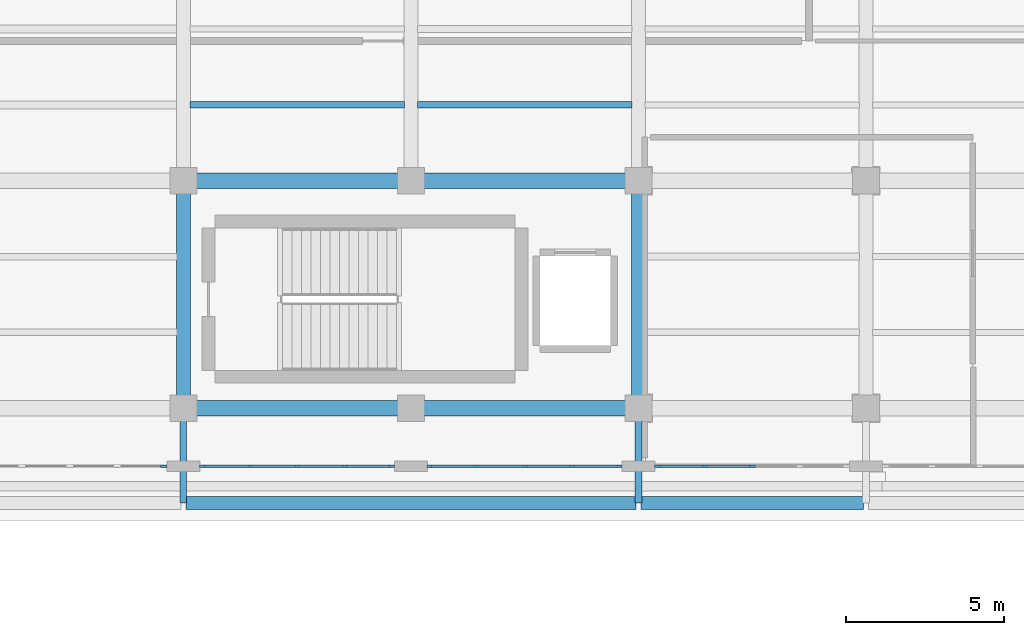
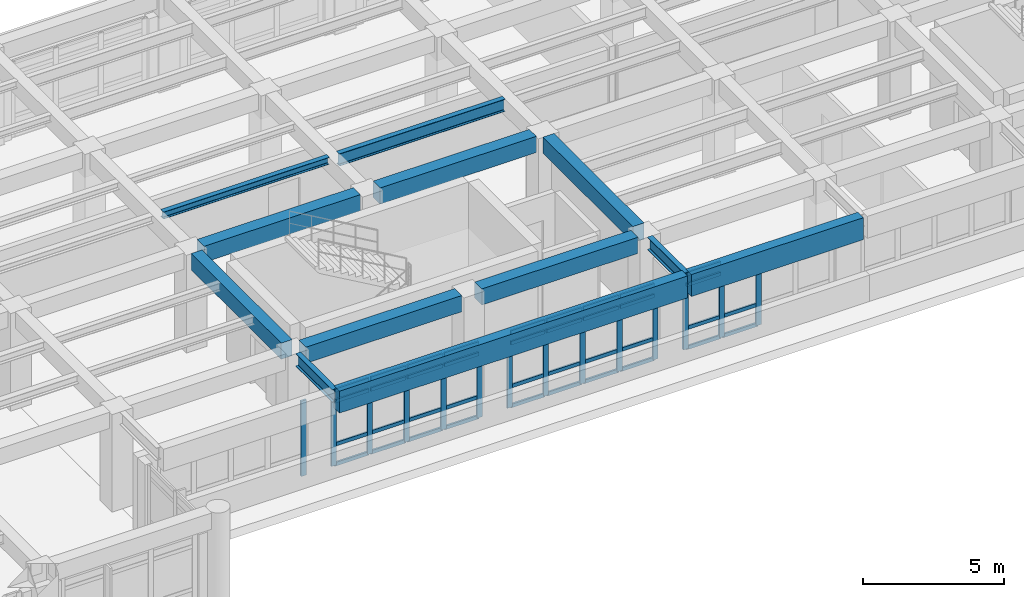
# One storey, part 39 of 98: 52 members, 12 beams, 4 elements without a shape of their own.
"""IFC4 building model written with IfcOpenShell, lengths in metres."""

from ifc_helpers import new_model, si_unit, direction, frame, origin, origin_2d, place, context, subcontext, project, spatial, rectangle, i_section, extrude, material, layer, layer_set, material_profile, profile_set, type_object, element, aggregate, save


model = new_model("IFC4")

# Units and contexts
model_context = context("Model", 3, precision=1e-05, world=origin(), true_north=direction((0.0, 1.0)))
body_context = subcontext(model_context, "Body", "Model", "MODEL_VIEW")
ifc_project = project(units=[si_unit("LENGTHUNIT", "METRE"), si_unit("AREAUNIT", "SQUARE_METRE"), si_unit("VOLUMEUNIT", "CUBIC_METRE"), si_unit("PLANEANGLEUNIT", "RADIAN"), si_unit("MASSUNIT", "GRAM", prefix="KILO")], contexts=[model_context])

# Site, building, storey
site_placement = place(None, origin())
site = spatial("IfcSite", under=ifc_project, at=site_placement, CompositionType="ELEMENT")
building_placement = place(site_placement, origin())
building = spatial("IfcBuilding", under=site, at=building_placement, Name="Solenvale Faculty of Natural Sciences", CompositionType="ELEMENT")
storey_placement = place(building_placement, frame((0.0, 0.0, 9.0)))
storey = spatial("IfcBuildingStorey", under=building, at=storey_placement, Name="L02", CompositionType="ELEMENT", Elevation=9.0)

# Beams
ifc_material_1 = material(Name="Concrete 40 MPa", Category="concrete")
ifc_material_profile_1 = material_profile(ifc_material_1, rectangle(XDim=0.449951171875, YDim=0.699951171875, at=origin_2d()), Name="RC-BM-450x700")
ifc_profile_set_1 = profile_set([ifc_material_profile_1], Name="Concrete 40 MPa")
beam_type_1 = type_object("IfcBeamType", Name="BM-RC-450x700", PredefinedType="BEAM", material=ifc_profile_set_1)
for number, where, z_axis, x_axis, name in (
    (1, (64.800048828125, 22.0048828125, 3.8701171875), (0.0, 1.0, 0.0), (-1.0, 0.0, 0.0), "L02 Y-Girder X64.8 (21.6..28.8)"),
    (2, (79.199951171875, 22.0048828125, 3.8701171875), (0.0, 1.0, 0.0), (-1.0, 0.0, 0.0), "L02 Y-Girder X79.2 (21.6..28.8)"),
):
    element("IfcBeam", number, at=place(storey_placement, frame(where, z_axis=z_axis, x_axis=x_axis)), inside=storey, type_object=beam_type_1, Name=name, PredefinedType="BEAM", context=body_context, shape_type="SweptSolid", body=[
        extrude(rectangle(XDim=0.449951171875, YDim=0.699951171875, at=origin_2d()), origin(), (0.0, 0.0, 1.0), 6.39013671875),
    ])
ifc_material_profile_2 = material_profile(ifc_material_1, rectangle(XDim=0.5, YDim=0.699951171875, at=origin_2d()), Name="RC-BM-500x700")
ifc_profile_set_2 = profile_set([ifc_material_profile_2], Name="Concrete 40 MPa")
beam_type_2 = type_object("IfcBeamType", Name="BM-RC-500x700", PredefinedType="BEAM", material=ifc_profile_set_2)
for number, where, z_axis, x_axis, name in (
    (3, (65.205078125, 21.60009765625, 3.8701171875), (1.0, 0.0, 0.0), (0.0, 1.0, 0.0), "L02 X-Girder Y21.6 (64.8..72.0)"),
    (4, (72.405029296875, 21.60009765625, 3.8701171875), (1.0, 0.0, 0.0), (0.0, 1.0, 0.0), "L02 X-Girder Y21.6 (72.0..79.2)"),
    (5, (65.205078125, 28.800048828125, 3.8701171875), (1.0, 0.0, 0.0), (0.0, 1.0, 0.0), "L02 X-Girder Y28.8 (64.8..72.0)"),
    (6, (72.405029296875, 28.800048828125, 3.8701171875), (1.0, 0.0, 0.0), (0.0, 1.0, 0.0), "L02 X-Girder Y28.8 (72.0..79.2)"),
):
    element("IfcBeam", number, at=place(storey_placement, frame(where, z_axis=z_axis, x_axis=x_axis)), inside=storey, type_object=beam_type_2, Name=name, PredefinedType="BEAM", context=body_context, shape_type="SweptSolid", body=[
        extrude(rectangle(XDim=0.5, YDim=0.699951171875, at=origin_2d()), origin(), (0.0, 0.0, 1.0), 6.389892578125),
    ])
ifc_material_2 = material(Name="Architectural bronze concrete 40 MPa", Category="concrete")
ifc_material_profile_3 = material_profile(ifc_material_2, rectangle(XDim=0.39990234375, YDim=0.949951171875, at=origin_2d()), Name="RC-SPN-400x950")
ifc_profile_set_3 = profile_set([ifc_material_profile_3], Name="Architectural bronze concrete 40 MPa")
beam_type_3 = type_object("IfcBeamType", Name="BM-SPN-BRZ-950", PredefinedType="SPANDREL", material=ifc_profile_set_3)
beam_1_placement = place(storey_placement, frame((64.8798828125, 18.60009765625, 3.7451171875), z_axis=(1.0, 0.0, 0.0), x_axis=(0.0, 1.0, 0.0)))
element("IfcBeam", 7, at=beam_1_placement, inside=storey, type_object=beam_type_3, Name="L03 Sliding-Tray South Bronze Fascia 2", PredefinedType="SPANDREL", context=body_context, shape_type="SweptSolid", body=[
    extrude(rectangle(XDim=0.39990234375, YDim=0.949951171875, at=origin_2d()), origin(), (0.0, 0.0, 1.0), 14.240234375),
])
beam_2_placement = place(storey_placement, frame((79.280029296875, 18.60009765625, 3.7451171875), z_axis=(1.0, 0.0, 0.0), x_axis=(0.0, 1.0, 0.0)))
element("IfcBeam", 8, at=beam_2_placement, inside=storey, type_object=beam_type_3, Name="L03 Sliding-Tray South Bronze Fascia 3", PredefinedType="SPANDREL", context=body_context, shape_type="SweptSolid", body=[
    extrude(rectangle(XDim=0.39990234375, YDim=0.949951171875, at=origin_2d()), origin(), (0.0, 0.0, 1.0), 7.0400390625),
])
ifc_material_3 = material(Name="Steel S355", Category="steel")
ifc_material_profile_4 = material_profile(ifc_material_3, i_section(OverallWidth=0.202880859375, OverallDepth=0.302978515625, WebThickness=0.007568359375, FlangeThickness=0.01318359375, FilletRadius=0.014892578125, at=origin_2d()), Name="W310x60")
ifc_profile_set_4 = profile_set([ifc_material_profile_4], Name="Steel S355")
beam_type_4 = type_object("IfcBeamType", Name="BM-STL-W310x60", PredefinedType="JOIST", material=ifc_profile_set_4)
beam_3_placement = place(storey_placement, frame((65.0048828125, 31.199951171875, 4.068603515625), z_axis=(1.0, 0.0, 0.0), x_axis=(0.0, 1.0, 0.0)))
element("IfcBeam", 9, at=beam_3_placement, inside=storey, type_object=beam_type_4, Name="L02 Composite Floor Joist (10,5).1", PredefinedType="JOIST", context=body_context, shape_type="SweptSolid", body=[
    extrude(i_section(OverallWidth=0.202880859375, OverallDepth=0.302978515625, WebThickness=0.007568359375, FlangeThickness=0.01318359375, FilletRadius=0.014892578125, at=origin_2d()), origin(), (0.0, 0.0, 1.0), 6.7900390625),
])
ifc_material_profile_5 = material_profile(ifc_material_3, i_section(OverallWidth=0.2119140625, OverallDepth=0.5439453125, WebThickness=0.01318359375, FlangeThickness=0.021240234375, FilletRadius=0.01904296875, at=origin_2d()), Name="W530x123")
ifc_profile_set_5 = profile_set([ifc_material_profile_5], Name="Steel S355")
beam_type_5 = type_object("IfcBeamType", Name="BM-STL-W530x123", PredefinedType="BEAM", material=ifc_profile_set_5)
for number, where, z_axis, x_axis, name in (
    (10, (64.800048828125, 21.195068359375, 3.947998046875), (0.0, -1.0, 0.0), (1.0, 0.0, 0.0), "L02 V4 Cantilever Tray Girder X64.8"),
    (11, (79.199951171875, 21.195068359375, 3.947998046875), (0.0, -1.0, 0.0), (1.0, 0.0, 0.0), "L02 V4 Cantilever Tray Girder X79.2"),
):
    element("IfcBeam", number, at=place(storey_placement, frame(where, z_axis=z_axis, x_axis=x_axis)), inside=storey, type_object=beam_type_5, Name=name, PredefinedType="BEAM", context=body_context, shape_type="SweptSolid", body=[
        extrude(i_section(OverallWidth=0.2119140625, OverallDepth=0.5439453125, WebThickness=0.01318359375, FlangeThickness=0.021240234375, FilletRadius=0.01904296875, at=origin_2d()), origin(), (0.0, 0.0, 1.0), 2.594970703125),
    ])
ifc_material_profile_6 = material_profile(ifc_material_3, i_section(OverallWidth=0.208984375, OverallDepth=0.532958984375, WebThickness=0.01025390625, FlangeThickness=0.015625, FilletRadius=0.01904296875, at=origin_2d()), Name="W530x92")
ifc_profile_set_6 = profile_set([ifc_material_profile_6], Name="Steel S355")
beam_type_6 = type_object("IfcBeamType", Name="BM-STL-W530x92", PredefinedType="JOIST", material=ifc_profile_set_6)
beam_4_placement = place(storey_placement, frame((72.205078125, 31.199951171875, 3.95361328125), z_axis=(1.0, 0.0, 0.0), x_axis=(0.0, 1.0, 0.0)))
element("IfcBeam", 12, at=beam_4_placement, inside=storey, type_object=beam_type_6, Name="L02 Composite Floor Joist (11,5).1", PredefinedType="JOIST", context=body_context, shape_type="SweptSolid", body=[
    extrude(i_section(OverallWidth=0.208984375, OverallDepth=0.532958984375, WebThickness=0.01025390625, FlangeThickness=0.015625, FilletRadius=0.01904296875, at=origin_2d()), origin(), (0.0, 0.0, 1.0), 6.7900390625),
])

# Curtain wall, member
ifc_material_4 = material(Name="Anodised bronze aluminium", Category="aluminium")
ifc_layer = layer(ifc_material_4, 0.18994140625)
ifc_layer_set = layer_set([ifc_layer], Name="Anodised bronze aluminium")
curtain_wall_type = type_object("IfcCurtainWallType", Name="CW-TRAY-REC", PredefinedType="USERDEFINED", material=ifc_layer_set)
curtain_wall_1_placement = place(storey_placement, origin())
curtain_wall_1 = element("IfcCurtainWall", 13, at=curtain_wall_1_placement, inside=storey, type_object=curtain_wall_type, Name="L02 Curtain Wall CW-L02-P1-E12-B1", ObjectType="UNITISED CURTAIN WALL", PredefinedType="USERDEFINED")
ifc_material_profile_7 = material_profile(ifc_material_4, rectangle(XDim=0.074951171875, YDim=0.2099609375, at=origin_2d()), Name="ALU-MUL-75x210")
ifc_profile_set_7 = profile_set([ifc_material_profile_7], Name="Anodised bronze aluminium")
member_type_1 = type_object("IfcMemberType", Name="CWM-ALU-75x210", PredefinedType="MULLION", material=ifc_profile_set_7)
member_1_placement = place(storey_placement, frame((64.1826171875, 19.762451171875, 0.0), z_axis=(0.0, 0.0, 1.0), x_axis=(0.0, 1.0, 0.0)))
member_1 = element("IfcMember", 14, at=member_1_placement, type_object=member_type_1, Name="CW-02 mullion 5", PredefinedType="MULLION", context=body_context, shape_type="SweptSolid", body=[
    extrude(rectangle(XDim=0.074951171875, YDim=0.2099609375, at=origin_2d()), origin(), (0.0, 0.0, 1.0), 3.260009765625),
])
aggregate(curtain_wall_1, [member_1])

# Curtain wall, members
curtain_wall_2_placement = place(storey_placement, origin())
curtain_wall_2 = element("IfcCurtainWall", 15, at=curtain_wall_2_placement, inside=storey, type_object=curtain_wall_type, Name="L02 Curtain Wall CW-L02-P1-E12-B2", ObjectType="UNITISED CURTAIN WALL", PredefinedType="USERDEFINED")
member_2_placement = place(storey_placement, frame((65.41748046875, 19.762451171875, 0.0), z_axis=(0.0, 0.0, 1.0), x_axis=(0.0, 1.0, 0.0)))
member_2 = element("IfcMember", 16, at=member_2_placement, type_object=member_type_1, Name="CW-02 mullion 1", PredefinedType="MULLION", context=body_context, shape_type="SweptSolid", body=[
    extrude(rectangle(XDim=0.074951171875, YDim=0.2099609375, at=origin_2d()), origin(), (0.0, 0.0, 1.0), 3.260009765625),
])
member_3_placement = place(storey_placement, frame((66.889892578125, 19.762451171875, 0.0), z_axis=(0.0, 0.0, 1.0), x_axis=(0.0, 1.0, 0.0)))
member_3 = element("IfcMember", 17, at=member_3_placement, type_object=member_type_1, Name="CW-02 mullion 2", PredefinedType="MULLION", context=body_context, shape_type="SweptSolid", body=[
    extrude(rectangle(XDim=0.074951171875, YDim=0.2099609375, at=origin_2d()), origin(), (0.0, 0.0, 1.0), 3.260009765625),
])
member_4_placement = place(storey_placement, frame((68.39990234375, 19.762451171875, 0.0), z_axis=(0.0, 0.0, 1.0), x_axis=(0.0, 1.0, 0.0)))
member_4 = element("IfcMember", 18, at=member_4_placement, type_object=member_type_1, Name="CW-02 mullion 3", PredefinedType="MULLION", context=body_context, shape_type="SweptSolid", body=[
    extrude(rectangle(XDim=0.074951171875, YDim=0.2099609375, at=origin_2d()), origin(), (0.0, 0.0, 1.0), 3.260009765625),
])
member_5_placement = place(storey_placement, frame((69.909912109375, 19.762451171875, 0.0), z_axis=(0.0, 0.0, 1.0), x_axis=(0.0, 1.0, 0.0)))
member_5 = element("IfcMember", 19, at=member_5_placement, type_object=member_type_1, Name="CW-02 mullion 4", PredefinedType="MULLION", context=body_context, shape_type="SweptSolid", body=[
    extrude(rectangle(XDim=0.074951171875, YDim=0.2099609375, at=origin_2d()), origin(), (0.0, 0.0, 1.0), 3.260009765625),
])
member_6_placement = place(storey_placement, frame((71.382568359375, 19.762451171875, 0.0), z_axis=(0.0, 0.0, 1.0), x_axis=(0.0, 1.0, 0.0)))
member_6 = element("IfcMember", 20, at=member_6_placement, type_object=member_type_1, Name="CW-02 mullion 5", PredefinedType="MULLION", context=body_context, shape_type="SweptSolid", body=[
    extrude(rectangle(XDim=0.074951171875, YDim=0.2099609375, at=origin_2d()), origin(), (0.0, 0.0, 1.0), 3.260009765625),
])

curtain_wall_3_placement = place(storey_placement, origin())
curtain_wall_3 = element("IfcCurtainWall", 21, at=curtain_wall_3_placement, inside=storey, type_object=curtain_wall_type, Name="L02 Curtain Wall CW-L02-P1-E12-B3", ObjectType="UNITISED CURTAIN WALL", PredefinedType="USERDEFINED")
member_7_placement = place(storey_placement, frame((72.617431640625, 19.762451171875, 0.0), z_axis=(0.0, 0.0, 1.0), x_axis=(0.0, 1.0, 0.0)))
member_7 = element("IfcMember", 22, at=member_7_placement, type_object=member_type_1, Name="CW-02 mullion 1", PredefinedType="MULLION", context=body_context, shape_type="SweptSolid", body=[
    extrude(rectangle(XDim=0.074951171875, YDim=0.2099609375, at=origin_2d()), origin(), (0.0, 0.0, 1.0), 3.260009765625),
])
member_8_placement = place(storey_placement, frame((74.090087890625, 19.762451171875, 0.0), z_axis=(0.0, 0.0, 1.0), x_axis=(0.0, 1.0, 0.0)))
member_8 = element("IfcMember", 23, at=member_8_placement, type_object=member_type_1, Name="CW-02 mullion 2", PredefinedType="MULLION", context=body_context, shape_type="SweptSolid", body=[
    extrude(rectangle(XDim=0.074951171875, YDim=0.2099609375, at=origin_2d()), origin(), (0.0, 0.0, 1.0), 3.260009765625),
])
member_9_placement = place(storey_placement, frame((75.60009765625, 19.762451171875, 0.0), z_axis=(0.0, 0.0, 1.0), x_axis=(0.0, 1.0, 0.0)))
member_9 = element("IfcMember", 24, at=member_9_placement, type_object=member_type_1, Name="CW-02 mullion 3", PredefinedType="MULLION", context=body_context, shape_type="SweptSolid", body=[
    extrude(rectangle(XDim=0.074951171875, YDim=0.2099609375, at=origin_2d()), origin(), (0.0, 0.0, 1.0), 3.260009765625),
])
member_10_placement = place(storey_placement, frame((77.110107421875, 19.762451171875, 0.0), z_axis=(0.0, 0.0, 1.0), x_axis=(0.0, 1.0, 0.0)))
member_10 = element("IfcMember", 25, at=member_10_placement, type_object=member_type_1, Name="CW-02 mullion 4", PredefinedType="MULLION", context=body_context, shape_type="SweptSolid", body=[
    extrude(rectangle(XDim=0.074951171875, YDim=0.2099609375, at=origin_2d()), origin(), (0.0, 0.0, 1.0), 3.260009765625),
])
member_11_placement = place(storey_placement, frame((78.58251953125, 19.762451171875, 0.0), z_axis=(0.0, 0.0, 1.0), x_axis=(0.0, 1.0, 0.0)))
member_11 = element("IfcMember", 26, at=member_11_placement, type_object=member_type_1, Name="CW-02 mullion 5", PredefinedType="MULLION", context=body_context, shape_type="SweptSolid", body=[
    extrude(rectangle(XDim=0.074951171875, YDim=0.2099609375, at=origin_2d()), origin(), (0.0, 0.0, 1.0), 3.260009765625),
])

curtain_wall_4_placement = place(storey_placement, origin())
curtain_wall_4 = element("IfcCurtainWall", 27, at=curtain_wall_4_placement, inside=storey, type_object=curtain_wall_type, Name="L02 Curtain Wall CW-L02-P1-E12-B4", ObjectType="UNITISED CURTAIN WALL", PredefinedType="USERDEFINED")
member_12_placement = place(storey_placement, frame((79.8173828125, 19.762451171875, 0.0), z_axis=(0.0, 0.0, 1.0), x_axis=(0.0, 1.0, 0.0)))
member_12 = element("IfcMember", 28, at=member_12_placement, type_object=member_type_1, Name="CW-02 mullion 1", PredefinedType="MULLION", context=body_context, shape_type="SweptSolid", body=[
    extrude(rectangle(XDim=0.074951171875, YDim=0.2099609375, at=origin_2d()), origin(), (0.0, 0.0, 1.0), 3.260009765625),
])
member_13_placement = place(storey_placement, frame((81.2900390625, 19.762451171875, 0.0), z_axis=(0.0, 0.0, 1.0), x_axis=(0.0, 1.0, 0.0)))
member_13 = element("IfcMember", 29, at=member_13_placement, type_object=member_type_1, Name="CW-02 mullion 2", PredefinedType="MULLION", context=body_context, shape_type="SweptSolid", body=[
    extrude(rectangle(XDim=0.074951171875, YDim=0.2099609375, at=origin_2d()), origin(), (0.0, 0.0, 1.0), 3.260009765625),
])
member_14_placement = place(storey_placement, frame((82.800048828125, 19.762451171875, 0.0), z_axis=(0.0, 0.0, 1.0), x_axis=(0.0, 1.0, 0.0)))
member_14 = element("IfcMember", 30, at=member_14_placement, type_object=member_type_1, Name="CW-02 mullion 3", PredefinedType="MULLION", context=body_context, shape_type="SweptSolid", body=[
    extrude(rectangle(XDim=0.074951171875, YDim=0.2099609375, at=origin_2d()), origin(), (0.0, 0.0, 1.0), 3.260009765625),
])

# Member
ifc_material_profile_8 = material_profile(ifc_material_4, rectangle(XDim=0.074951171875, YDim=0.155029296875, at=origin_2d()), Name="ALU-TRN-75x155")
ifc_profile_set_8 = profile_set([ifc_material_profile_8], Name="Anodised bronze aluminium")
member_type_2 = type_object("IfcMemberType", Name="CWT-ALU-75x155", PredefinedType="USERDEFINED", material=ifc_profile_set_8)
member_15_placement = place(storey_placement, frame((65.455078125, 19.762451171875, 0.03759765625), z_axis=(1.0, 0.0, 0.0), x_axis=(0.0, 1.0, 0.0)))
member_15 = element("IfcMember", 31, at=member_15_placement, type_object=member_type_2, Name="CW-02 transom 1.1", ObjectType="TRANSOM", PredefinedType="USERDEFINED", context=body_context, shape_type="SweptSolid", body=[
    extrude(rectangle(XDim=0.074951171875, YDim=0.155029296875, at=origin_2d()), origin(), (0.0, 0.0, 1.0), 1.3974609375),
])

member_16_placement = place(storey_placement, frame((65.455078125, 19.762451171875, 0.89990234375), z_axis=(1.0, 0.0, 0.0), x_axis=(0.0, 1.0, 0.0)))
member_16 = element("IfcMember", 32, at=member_16_placement, type_object=member_type_2, Name="CW-02 transom 1.2", ObjectType="TRANSOM", PredefinedType="USERDEFINED", context=body_context, shape_type="SweptSolid", body=[
    extrude(rectangle(XDim=0.074951171875, YDim=0.155029296875, at=origin_2d()), origin(), (0.0, 0.0, 1.0), 1.3974609375),
])

member_17_placement = place(storey_placement, frame((65.455078125, 19.762451171875, 2.760009765625), z_axis=(1.0, 0.0, 0.0), x_axis=(0.0, 1.0, 0.0)))
member_17 = element("IfcMember", 33, at=member_17_placement, type_object=member_type_2, Name="CW-02 transom 1.3", ObjectType="TRANSOM", PredefinedType="USERDEFINED", context=body_context, shape_type="SweptSolid", body=[
    extrude(rectangle(XDim=0.074951171875, YDim=0.155029296875, at=origin_2d()), origin(), (0.0, 0.0, 1.0), 1.3974609375),
])

member_18_placement = place(storey_placement, frame((65.455078125, 19.762451171875, 3.222412109375), z_axis=(1.0, 0.0, 0.0), x_axis=(0.0, 1.0, 0.0)))
member_18 = element("IfcMember", 34, at=member_18_placement, type_object=member_type_2, Name="CW-02 transom 1.4", ObjectType="TRANSOM", PredefinedType="USERDEFINED", context=body_context, shape_type="SweptSolid", body=[
    extrude(rectangle(XDim=0.074951171875, YDim=0.155029296875, at=origin_2d()), origin(), (0.0, 0.0, 1.0), 1.3974609375),
])

member_19_placement = place(storey_placement, frame((66.927490234375, 19.762451171875, 0.03759765625), z_axis=(1.0, 0.0, 0.0), x_axis=(0.0, 1.0, 0.0)))
member_19 = element("IfcMember", 35, at=member_19_placement, type_object=member_type_2, Name="CW-02 transom 2.1", ObjectType="TRANSOM", PredefinedType="USERDEFINED", context=body_context, shape_type="SweptSolid", body=[
    extrude(rectangle(XDim=0.074951171875, YDim=0.155029296875, at=origin_2d()), origin(), (0.0, 0.0, 1.0), 1.43505859375),
])

member_20_placement = place(storey_placement, frame((66.927490234375, 19.762451171875, 0.89990234375), z_axis=(1.0, 0.0, 0.0), x_axis=(0.0, 1.0, 0.0)))
member_20 = element("IfcMember", 36, at=member_20_placement, type_object=member_type_2, Name="CW-02 transom 2.2", ObjectType="TRANSOM", PredefinedType="USERDEFINED", context=body_context, shape_type="SweptSolid", body=[
    extrude(rectangle(XDim=0.074951171875, YDim=0.155029296875, at=origin_2d()), origin(), (0.0, 0.0, 1.0), 1.43505859375),
])

member_21_placement = place(storey_placement, frame((66.927490234375, 19.762451171875, 2.760009765625), z_axis=(1.0, 0.0, 0.0), x_axis=(0.0, 1.0, 0.0)))
member_21 = element("IfcMember", 37, at=member_21_placement, type_object=member_type_2, Name="CW-02 transom 2.3", ObjectType="TRANSOM", PredefinedType="USERDEFINED", context=body_context, shape_type="SweptSolid", body=[
    extrude(rectangle(XDim=0.074951171875, YDim=0.155029296875, at=origin_2d()), origin(), (0.0, 0.0, 1.0), 1.43505859375),
])

member_22_placement = place(storey_placement, frame((66.927490234375, 19.762451171875, 3.222412109375), z_axis=(1.0, 0.0, 0.0), x_axis=(0.0, 1.0, 0.0)))
member_22 = element("IfcMember", 38, at=member_22_placement, type_object=member_type_2, Name="CW-02 transom 2.4", ObjectType="TRANSOM", PredefinedType="USERDEFINED", context=body_context, shape_type="SweptSolid", body=[
    extrude(rectangle(XDim=0.074951171875, YDim=0.155029296875, at=origin_2d()), origin(), (0.0, 0.0, 1.0), 1.43505859375),
])

member_23_placement = place(storey_placement, frame((68.4375, 19.762451171875, 0.03759765625), z_axis=(1.0, 0.0, 0.0), x_axis=(0.0, 1.0, 0.0)))
member_23 = element("IfcMember", 39, at=member_23_placement, type_object=member_type_2, Name="CW-02 transom 3.1", ObjectType="TRANSOM", PredefinedType="USERDEFINED", context=body_context, shape_type="SweptSolid", body=[
    extrude(rectangle(XDim=0.074951171875, YDim=0.155029296875, at=origin_2d()), origin(), (0.0, 0.0, 1.0), 1.43505859375),
])

member_24_placement = place(storey_placement, frame((68.4375, 19.762451171875, 0.89990234375), z_axis=(1.0, 0.0, 0.0), x_axis=(0.0, 1.0, 0.0)))
member_24 = element("IfcMember", 40, at=member_24_placement, type_object=member_type_2, Name="CW-02 transom 3.2", ObjectType="TRANSOM", PredefinedType="USERDEFINED", context=body_context, shape_type="SweptSolid", body=[
    extrude(rectangle(XDim=0.074951171875, YDim=0.155029296875, at=origin_2d()), origin(), (0.0, 0.0, 1.0), 1.43505859375),
])

member_25_placement = place(storey_placement, frame((68.4375, 19.762451171875, 2.760009765625), z_axis=(1.0, 0.0, 0.0), x_axis=(0.0, 1.0, 0.0)))
member_25 = element("IfcMember", 41, at=member_25_placement, type_object=member_type_2, Name="CW-02 transom 3.3", ObjectType="TRANSOM", PredefinedType="USERDEFINED", context=body_context, shape_type="SweptSolid", body=[
    extrude(rectangle(XDim=0.074951171875, YDim=0.155029296875, at=origin_2d()), origin(), (0.0, 0.0, 1.0), 1.43505859375),
])

member_26_placement = place(storey_placement, frame((68.4375, 19.762451171875, 3.222412109375), z_axis=(1.0, 0.0, 0.0), x_axis=(0.0, 1.0, 0.0)))
member_26 = element("IfcMember", 42, at=member_26_placement, type_object=member_type_2, Name="CW-02 transom 3.4", ObjectType="TRANSOM", PredefinedType="USERDEFINED", context=body_context, shape_type="SweptSolid", body=[
    extrude(rectangle(XDim=0.074951171875, YDim=0.155029296875, at=origin_2d()), origin(), (0.0, 0.0, 1.0), 1.43505859375),
])

member_27_placement = place(storey_placement, frame((69.947509765625, 19.762451171875, 0.03759765625), z_axis=(1.0, 0.0, 0.0), x_axis=(0.0, 1.0, 0.0)))
member_27 = element("IfcMember", 43, at=member_27_placement, type_object=member_type_2, Name="CW-02 transom 4.1", ObjectType="TRANSOM", PredefinedType="USERDEFINED", context=body_context, shape_type="SweptSolid", body=[
    extrude(rectangle(XDim=0.074951171875, YDim=0.155029296875, at=origin_2d()), origin(), (0.0, 0.0, 1.0), 1.3974609375),
])

member_28_placement = place(storey_placement, frame((69.947509765625, 19.762451171875, 0.89990234375), z_axis=(1.0, 0.0, 0.0), x_axis=(0.0, 1.0, 0.0)))
member_28 = element("IfcMember", 44, at=member_28_placement, type_object=member_type_2, Name="CW-02 transom 4.2", ObjectType="TRANSOM", PredefinedType="USERDEFINED", context=body_context, shape_type="SweptSolid", body=[
    extrude(rectangle(XDim=0.074951171875, YDim=0.155029296875, at=origin_2d()), origin(), (0.0, 0.0, 1.0), 1.3974609375),
])

member_29_placement = place(storey_placement, frame((69.947509765625, 19.762451171875, 2.760009765625), z_axis=(1.0, 0.0, 0.0), x_axis=(0.0, 1.0, 0.0)))
member_29 = element("IfcMember", 45, at=member_29_placement, type_object=member_type_2, Name="CW-02 transom 4.3", ObjectType="TRANSOM", PredefinedType="USERDEFINED", context=body_context, shape_type="SweptSolid", body=[
    extrude(rectangle(XDim=0.074951171875, YDim=0.155029296875, at=origin_2d()), origin(), (0.0, 0.0, 1.0), 1.3974609375),
])

member_30_placement = place(storey_placement, frame((69.947509765625, 19.762451171875, 3.222412109375), z_axis=(1.0, 0.0, 0.0), x_axis=(0.0, 1.0, 0.0)))
member_30 = element("IfcMember", 46, at=member_30_placement, type_object=member_type_2, Name="CW-02 transom 4.4", ObjectType="TRANSOM", PredefinedType="USERDEFINED", context=body_context, shape_type="SweptSolid", body=[
    extrude(rectangle(XDim=0.074951171875, YDim=0.155029296875, at=origin_2d()), origin(), (0.0, 0.0, 1.0), 1.3974609375),
])

aggregate(curtain_wall_2, [member_2, member_3, member_4, member_5, member_6, member_15, member_16, member_17, member_18, member_19, member_20, member_21, member_22, member_23, member_24, member_25, member_26, member_27, member_28, member_29, member_30])

member_31_placement = place(storey_placement, frame((72.655029296875, 19.762451171875, 0.03759765625), z_axis=(1.0, 0.0, 0.0), x_axis=(0.0, 1.0, 0.0)))
member_31 = element("IfcMember", 47, at=member_31_placement, type_object=member_type_2, Name="CW-02 transom 1.1", ObjectType="TRANSOM", PredefinedType="USERDEFINED", context=body_context, shape_type="SweptSolid", body=[
    extrude(rectangle(XDim=0.074951171875, YDim=0.155029296875, at=origin_2d()), origin(), (0.0, 0.0, 1.0), 1.3974609375),
])

member_32_placement = place(storey_placement, frame((72.655029296875, 19.762451171875, 0.89990234375), z_axis=(1.0, 0.0, 0.0), x_axis=(0.0, 1.0, 0.0)))
member_32 = element("IfcMember", 48, at=member_32_placement, type_object=member_type_2, Name="CW-02 transom 1.2", ObjectType="TRANSOM", PredefinedType="USERDEFINED", context=body_context, shape_type="SweptSolid", body=[
    extrude(rectangle(XDim=0.074951171875, YDim=0.155029296875, at=origin_2d()), origin(), (0.0, 0.0, 1.0), 1.3974609375),
])

member_33_placement = place(storey_placement, frame((72.655029296875, 19.762451171875, 2.760009765625), z_axis=(1.0, 0.0, 0.0), x_axis=(0.0, 1.0, 0.0)))
member_33 = element("IfcMember", 49, at=member_33_placement, type_object=member_type_2, Name="CW-02 transom 1.3", ObjectType="TRANSOM", PredefinedType="USERDEFINED", context=body_context, shape_type="SweptSolid", body=[
    extrude(rectangle(XDim=0.074951171875, YDim=0.155029296875, at=origin_2d()), origin(), (0.0, 0.0, 1.0), 1.3974609375),
])

member_34_placement = place(storey_placement, frame((72.655029296875, 19.762451171875, 3.222412109375), z_axis=(1.0, 0.0, 0.0), x_axis=(0.0, 1.0, 0.0)))
member_34 = element("IfcMember", 50, at=member_34_placement, type_object=member_type_2, Name="CW-02 transom 1.4", ObjectType="TRANSOM", PredefinedType="USERDEFINED", context=body_context, shape_type="SweptSolid", body=[
    extrude(rectangle(XDim=0.074951171875, YDim=0.155029296875, at=origin_2d()), origin(), (0.0, 0.0, 1.0), 1.3974609375),
])

member_35_placement = place(storey_placement, frame((74.12744140625, 19.762451171875, 0.03759765625), z_axis=(1.0, 0.0, 0.0), x_axis=(0.0, 1.0, 0.0)))
member_35 = element("IfcMember", 51, at=member_35_placement, type_object=member_type_2, Name="CW-02 transom 2.1", ObjectType="TRANSOM", PredefinedType="USERDEFINED", context=body_context, shape_type="SweptSolid", body=[
    extrude(rectangle(XDim=0.074951171875, YDim=0.155029296875, at=origin_2d()), origin(), (0.0, 0.0, 1.0), 1.43505859375),
])

member_36_placement = place(storey_placement, frame((74.12744140625, 19.762451171875, 0.89990234375), z_axis=(1.0, 0.0, 0.0), x_axis=(0.0, 1.0, 0.0)))
member_36 = element("IfcMember", 52, at=member_36_placement, type_object=member_type_2, Name="CW-02 transom 2.2", ObjectType="TRANSOM", PredefinedType="USERDEFINED", context=body_context, shape_type="SweptSolid", body=[
    extrude(rectangle(XDim=0.074951171875, YDim=0.155029296875, at=origin_2d()), origin(), (0.0, 0.0, 1.0), 1.43505859375),
])

member_37_placement = place(storey_placement, frame((74.12744140625, 19.762451171875, 2.760009765625), z_axis=(1.0, 0.0, 0.0), x_axis=(0.0, 1.0, 0.0)))
member_37 = element("IfcMember", 53, at=member_37_placement, type_object=member_type_2, Name="CW-02 transom 2.3", ObjectType="TRANSOM", PredefinedType="USERDEFINED", context=body_context, shape_type="SweptSolid", body=[
    extrude(rectangle(XDim=0.074951171875, YDim=0.155029296875, at=origin_2d()), origin(), (0.0, 0.0, 1.0), 1.43505859375),
])

member_38_placement = place(storey_placement, frame((74.12744140625, 19.762451171875, 3.222412109375), z_axis=(1.0, 0.0, 0.0), x_axis=(0.0, 1.0, 0.0)))
member_38 = element("IfcMember", 54, at=member_38_placement, type_object=member_type_2, Name="CW-02 transom 2.4", ObjectType="TRANSOM", PredefinedType="USERDEFINED", context=body_context, shape_type="SweptSolid", body=[
    extrude(rectangle(XDim=0.074951171875, YDim=0.155029296875, at=origin_2d()), origin(), (0.0, 0.0, 1.0), 1.43505859375),
])

member_39_placement = place(storey_placement, frame((75.637451171875, 19.762451171875, 0.03759765625), z_axis=(1.0, 0.0, 0.0), x_axis=(0.0, 1.0, 0.0)))
member_39 = element("IfcMember", 55, at=member_39_placement, type_object=member_type_2, Name="CW-02 transom 3.1", ObjectType="TRANSOM", PredefinedType="USERDEFINED", context=body_context, shape_type="SweptSolid", body=[
    extrude(rectangle(XDim=0.074951171875, YDim=0.155029296875, at=origin_2d()), origin(), (0.0, 0.0, 1.0), 1.43505859375),
])

member_40_placement = place(storey_placement, frame((75.637451171875, 19.762451171875, 0.89990234375), z_axis=(1.0, 0.0, 0.0), x_axis=(0.0, 1.0, 0.0)))
member_40 = element("IfcMember", 56, at=member_40_placement, type_object=member_type_2, Name="CW-02 transom 3.2", ObjectType="TRANSOM", PredefinedType="USERDEFINED", context=body_context, shape_type="SweptSolid", body=[
    extrude(rectangle(XDim=0.074951171875, YDim=0.155029296875, at=origin_2d()), origin(), (0.0, 0.0, 1.0), 1.43505859375),
])

member_41_placement = place(storey_placement, frame((75.637451171875, 19.762451171875, 2.760009765625), z_axis=(1.0, 0.0, 0.0), x_axis=(0.0, 1.0, 0.0)))
member_41 = element("IfcMember", 57, at=member_41_placement, type_object=member_type_2, Name="CW-02 transom 3.3", ObjectType="TRANSOM", PredefinedType="USERDEFINED", context=body_context, shape_type="SweptSolid", body=[
    extrude(rectangle(XDim=0.074951171875, YDim=0.155029296875, at=origin_2d()), origin(), (0.0, 0.0, 1.0), 1.43505859375),
])

member_42_placement = place(storey_placement, frame((75.637451171875, 19.762451171875, 3.222412109375), z_axis=(1.0, 0.0, 0.0), x_axis=(0.0, 1.0, 0.0)))
member_42 = element("IfcMember", 58, at=member_42_placement, type_object=member_type_2, Name="CW-02 transom 3.4", ObjectType="TRANSOM", PredefinedType="USERDEFINED", context=body_context, shape_type="SweptSolid", body=[
    extrude(rectangle(XDim=0.074951171875, YDim=0.155029296875, at=origin_2d()), origin(), (0.0, 0.0, 1.0), 1.43505859375),
])

member_43_placement = place(storey_placement, frame((77.1474609375, 19.762451171875, 0.03759765625), z_axis=(1.0, 0.0, 0.0), x_axis=(0.0, 1.0, 0.0)))
member_43 = element("IfcMember", 59, at=member_43_placement, type_object=member_type_2, Name="CW-02 transom 4.1", ObjectType="TRANSOM", PredefinedType="USERDEFINED", context=body_context, shape_type="SweptSolid", body=[
    extrude(rectangle(XDim=0.074951171875, YDim=0.155029296875, at=origin_2d()), origin(), (0.0, 0.0, 1.0), 1.3974609375),
])

member_44_placement = place(storey_placement, frame((77.1474609375, 19.762451171875, 0.89990234375), z_axis=(1.0, 0.0, 0.0), x_axis=(0.0, 1.0, 0.0)))
member_44 = element("IfcMember", 60, at=member_44_placement, type_object=member_type_2, Name="CW-02 transom 4.2", ObjectType="TRANSOM", PredefinedType="USERDEFINED", context=body_context, shape_type="SweptSolid", body=[
    extrude(rectangle(XDim=0.074951171875, YDim=0.155029296875, at=origin_2d()), origin(), (0.0, 0.0, 1.0), 1.3974609375),
])

member_45_placement = place(storey_placement, frame((77.1474609375, 19.762451171875, 2.760009765625), z_axis=(1.0, 0.0, 0.0), x_axis=(0.0, 1.0, 0.0)))
member_45 = element("IfcMember", 61, at=member_45_placement, type_object=member_type_2, Name="CW-02 transom 4.3", ObjectType="TRANSOM", PredefinedType="USERDEFINED", context=body_context, shape_type="SweptSolid", body=[
    extrude(rectangle(XDim=0.074951171875, YDim=0.155029296875, at=origin_2d()), origin(), (0.0, 0.0, 1.0), 1.3974609375),
])

member_46_placement = place(storey_placement, frame((77.1474609375, 19.762451171875, 3.222412109375), z_axis=(1.0, 0.0, 0.0), x_axis=(0.0, 1.0, 0.0)))
member_46 = element("IfcMember", 62, at=member_46_placement, type_object=member_type_2, Name="CW-02 transom 4.4", ObjectType="TRANSOM", PredefinedType="USERDEFINED", context=body_context, shape_type="SweptSolid", body=[
    extrude(rectangle(XDim=0.074951171875, YDim=0.155029296875, at=origin_2d()), origin(), (0.0, 0.0, 1.0), 1.3974609375),
])

aggregate(curtain_wall_3, [member_7, member_8, member_9, member_10, member_11, member_31, member_32, member_33, member_34, member_35, member_36, member_37, member_38, member_39, member_40, member_41, member_42, member_43, member_44, member_45, member_46])

member_47_placement = place(storey_placement, frame((79.85498046875, 19.762451171875, 0.03759765625), z_axis=(1.0, 0.0, 0.0), x_axis=(0.0, 1.0, 0.0)))
member_47 = element("IfcMember", 63, at=member_47_placement, type_object=member_type_2, Name="CW-02 transom 1.1", ObjectType="TRANSOM", PredefinedType="USERDEFINED", context=body_context, shape_type="SweptSolid", body=[
    extrude(rectangle(XDim=0.074951171875, YDim=0.155029296875, at=origin_2d()), origin(), (0.0, 0.0, 1.0), 1.3974609375),
])

member_48_placement = place(storey_placement, frame((79.85498046875, 19.762451171875, 0.89990234375), z_axis=(1.0, 0.0, 0.0), x_axis=(0.0, 1.0, 0.0)))
member_48 = element("IfcMember", 64, at=member_48_placement, type_object=member_type_2, Name="CW-02 transom 1.2", ObjectType="TRANSOM", PredefinedType="USERDEFINED", context=body_context, shape_type="SweptSolid", body=[
    extrude(rectangle(XDim=0.074951171875, YDim=0.155029296875, at=origin_2d()), origin(), (0.0, 0.0, 1.0), 1.3974609375),
])

member_49_placement = place(storey_placement, frame((79.85498046875, 19.762451171875, 2.760009765625), z_axis=(1.0, 0.0, 0.0), x_axis=(0.0, 1.0, 0.0)))
member_49 = element("IfcMember", 65, at=member_49_placement, type_object=member_type_2, Name="CW-02 transom 1.3", ObjectType="TRANSOM", PredefinedType="USERDEFINED", context=body_context, shape_type="SweptSolid", body=[
    extrude(rectangle(XDim=0.074951171875, YDim=0.155029296875, at=origin_2d()), origin(), (0.0, 0.0, 1.0), 1.3974609375),
])

member_50_placement = place(storey_placement, frame((79.85498046875, 19.762451171875, 3.222412109375), z_axis=(1.0, 0.0, 0.0), x_axis=(0.0, 1.0, 0.0)))
member_50 = element("IfcMember", 66, at=member_50_placement, type_object=member_type_2, Name="CW-02 transom 1.4", ObjectType="TRANSOM", PredefinedType="USERDEFINED", context=body_context, shape_type="SweptSolid", body=[
    extrude(rectangle(XDim=0.074951171875, YDim=0.155029296875, at=origin_2d()), origin(), (0.0, 0.0, 1.0), 1.3974609375),
])

member_51_placement = place(storey_placement, frame((81.327392578125, 19.762451171875, 0.03759765625), z_axis=(1.0, 0.0, 0.0), x_axis=(0.0, 1.0, 0.0)))
member_51 = element("IfcMember", 67, at=member_51_placement, type_object=member_type_2, Name="CW-02 transom 2.1", ObjectType="TRANSOM", PredefinedType="USERDEFINED", context=body_context, shape_type="SweptSolid", body=[
    extrude(rectangle(XDim=0.074951171875, YDim=0.155029296875, at=origin_2d()), origin(), (0.0, 0.0, 1.0), 1.43505859375),
])

member_52_placement = place(storey_placement, frame((81.327392578125, 19.762451171875, 0.89990234375), z_axis=(1.0, 0.0, 0.0), x_axis=(0.0, 1.0, 0.0)))
member_52 = element("IfcMember", 68, at=member_52_placement, type_object=member_type_2, Name="CW-02 transom 2.2", ObjectType="TRANSOM", PredefinedType="USERDEFINED", context=body_context, shape_type="SweptSolid", body=[
    extrude(rectangle(XDim=0.074951171875, YDim=0.155029296875, at=origin_2d()), origin(), (0.0, 0.0, 1.0), 1.43505859375),
])

aggregate(curtain_wall_4, [member_12, member_13, member_14, member_47, member_48, member_49, member_50, member_51, member_52])

save(model, "model.ifc")
